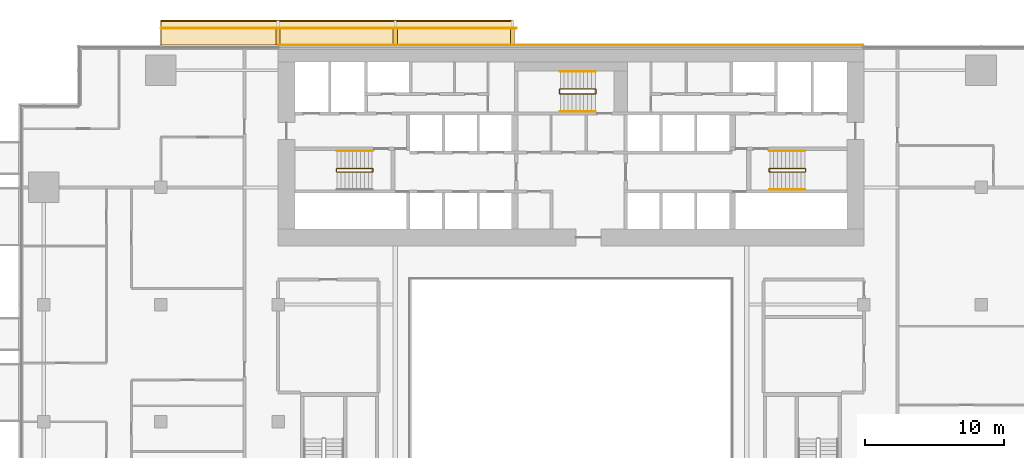
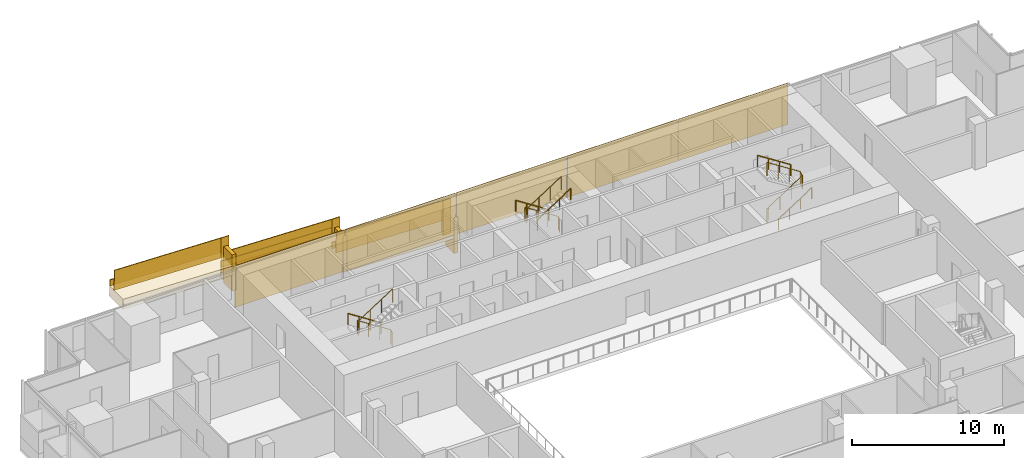
# One storey, part 26 of 27: 14 coverings, 14 railings.
"""IFC4 building model written with IfcOpenShell, lengths in metres."""

from ifc_helpers import new_model, si_unit, direction, frame, origin, origin_2d, place, context, subcontext, project, spatial, polyline, rectangle, circle, outline, extrude, material, layer, layer_set, type_object, element, save


model = new_model("IFC4")

# Units and contexts
model_context = context("Model", 3, precision=1e-05, world=origin(), true_north=direction((0.0, 1.0)))
body_context = subcontext(model_context, "Body", "Model", "MODEL_VIEW")
ifc_project = project(units=[si_unit("LENGTHUNIT", "METRE"), si_unit("AREAUNIT", "SQUARE_METRE"), si_unit("VOLUMEUNIT", "CUBIC_METRE"), si_unit("PLANEANGLEUNIT", "RADIAN"), si_unit("MASSUNIT", "GRAM", prefix="KILO")], contexts=[model_context])

# Site, building, storey
site_placement = place(None, origin())
site = spatial("IfcSite", under=ifc_project, at=site_placement, CompositionType="ELEMENT")
building_placement = place(site_placement, origin())
building = spatial("IfcBuilding", under=site, at=building_placement, Name="Saffron Gate Tower", CompositionType="ELEMENT")
storey_placement = place(building_placement, frame((0.0, 0.0, 44.39990234375)))
storey = spatial("IfcBuildingStorey", under=building, at=storey_placement, Name="L09", CompositionType="ELEMENT", Elevation=44.39990234375)

# Coverings
ifc_material_1 = material(Name="Ceramic-printed bronze insulated panel")
ifc_layer_1 = layer(ifc_material_1, 0.0400390625)
ifc_layer_set_1 = layer_set([ifc_layer_1], Name="CLD1 ceramic-printed cladding panel 40")
covering_type_1 = type_object("IfcCoveringType", Name="CLD1 ceramic-printed cladding panel 40", PredefinedType="CLADDING", material=ifc_layer_set_1)
covering_1_placement = place(storey_placement, origin())
element("IfcCovering", 1, at=covering_1_placement, inside=storey, type_object=covering_type_1, Name="CLADDING ceramic-printed panel", PredefinedType="CLADDING", context=body_context, shape_type="SweptSolid", body=[
    extrude(outline(polyline([(108.56494140625, 75.639892578125), (100.235107421875, 75.639892578125), (100.235107421875, 75.60009765625), (108.56494140625, 75.60009765625), (108.56494140625, 75.639892578125)])), origin(), (0.0, 0.0, 1.0), 3.320068359375),
])
covering_2_placement = place(storey_placement, origin())
element("IfcCovering", 2, at=covering_2_placement, inside=storey, type_object=covering_type_1, Name="CLADDING ceramic-printed panel", PredefinedType="CLADDING", context=body_context, shape_type="SweptSolid", body=[
    extrude(outline(polyline([(100.1650390625, 75.639892578125), (91.8349609375, 75.639892578125), (91.8349609375, 75.60009765625), (100.1650390625, 75.60009765625), (100.1650390625, 75.639892578125)])), origin(), (0.0, 0.0, 1.0), 3.320068359375),
])
covering_3_placement = place(storey_placement, origin())
element("IfcCovering", 3, at=covering_3_placement, inside=storey, type_object=covering_type_1, Name="CLADDING ceramic-printed panel", PredefinedType="CLADDING", context=body_context, shape_type="SweptSolid", body=[
    extrude(outline(polyline([(91.764892578125, 75.639892578125), (83.43505859375, 75.639892578125), (83.43505859375, 75.60009765625), (91.764892578125, 75.60009765625), (91.764892578125, 75.639892578125)])), origin(), (0.0, 0.0, 1.0), 3.320068359375),
])
covering_4_placement = place(storey_placement, origin())
element("IfcCovering", 4, at=covering_4_placement, inside=storey, type_object=covering_type_1, Name="CLADDING ceramic-printed panel", PredefinedType="CLADDING", context=body_context, shape_type="SweptSolid", body=[
    extrude(outline(polyline([(83.364990234375, 75.639892578125), (75.034912109375, 75.639892578125), (75.034912109375, 75.60009765625), (83.364990234375, 75.60009765625), (83.364990234375, 75.639892578125)])), origin(), (0.0, 0.0, 1.0), 3.320068359375),
])
covering_5_placement = place(storey_placement, origin())
element("IfcCovering", 5, at=covering_5_placement, inside=storey, type_object=covering_type_1, Name="CLADDING ceramic-printed panel", PredefinedType="CLADDING", context=body_context, shape_type="SweptSolid", body=[
    extrude(outline(polyline([(74.965087890625, 75.639892578125), (66.635009765625, 75.639892578125), (66.635009765625, 75.60009765625), (74.965087890625, 75.60009765625), (74.965087890625, 75.639892578125)])), origin(), (0.0, 0.0, 1.0), 3.320068359375),
])

# Railings
ifc_material_2 = material(Name="Stainless steel and laminated glass", Category="steel")
railing_type_1 = type_object("IfcRailingType", Name="CR1 Stair guard 1100", PredefinedType="GUARDRAIL", material=ifc_material_2)
railing_1_placement = place(storey_placement, frame((73.39990234375, 66.550048828125, 0.0)))
element("IfcRailing", 6, at=railing_1_placement, inside=storey, type_object=railing_type_1, Name="L09 ST-A stair guard 1", PredefinedType="GUARDRAIL", context=body_context, shape_type="SweptSolid", body=[
    extrude(circle(Radius=0.02392578125, at=origin_2d()), frame((0.0, 0.0, 1.076171875), z_axis=(0.0, 1.0, 0.0), x_axis=(-1.0, 0.0, 0.0)), (0.0, 0.0, 1.0), 0.14990234375),
    extrude(circle(Radius=0.02392578125, at=origin_2d()), frame((0.0, 0.14990234375, 1.076171875), z_axis=(-0.257366384619, 0.258627984543, 0.931060744355), x_axis=(-0.708833529934, -0.705375805398, 0.0)), (0.0, 0.0, 1.0), 0.193603515625),
    extrude(circle(Radius=0.02392578125, at=origin_2d()), frame((-0.0498046875, 0.199951171875, 1.25634765625), z_axis=(-0.841199657755, 0.0, 0.540724639528), x_axis=(0.0, -1.0, 0.0)), (0.0, 0.0, 1.0), 2.995849609375),
    extrude(circle(Radius=0.02392578125, at=origin_2d()), frame((-2.56982421875, 0.199951171875, 2.8759765625), z_axis=(-0.707106781187, -0.707106781187, 0.0), x_axis=(0.707106781187, -0.707106781187, 0.0)), (0.0, 0.0, 1.0), 0.07080078125),
    extrude(circle(Radius=0.02392578125, at=origin_2d()), frame((-2.619873046875, 0.14990234375, 2.8759765625), z_axis=(0.0, -1.0, 0.0), x_axis=(1.0, 0.0, 0.0)), (0.0, 0.0, 1.0), 0.14990234375),
    extrude(circle(Radius=0.02392578125, at=origin_2d()), frame((-2.619873046875, 0.0, 2.8759765625), z_axis=(0.258847668887, -0.258847668887, 0.930588936439), x_axis=(0.707106781187, 0.707106781187, 0.0)), (0.0, 0.0, 1.0), 0.193359375),
    extrude(circle(Radius=0.02392578125, at=origin_2d()), frame((-2.56982421875, -0.050048828125, 3.05615234375), z_axis=(0.841162588446, 0.0, 0.540782303519), x_axis=(0.0, 1.0, 0.0)), (0.0, 0.0, 1.0), 2.995849609375),
    extrude(circle(Radius=0.02099609375, at=origin_2d()), origin(), (0.0, 0.0, 1.0), 1.052001953125),
    extrude(circle(Radius=0.02099609375, at=origin_2d()), frame((0.0, 0.14990234375, 0.0)), (0.0, 0.0, 1.0), 1.052001953125),
    extrude(circle(Radius=0.02099609375, at=origin_2d()), frame((-0.0498046875, 0.199951171875, 0.18017578125)), (0.0, 0.0, 1.0), 1.052001953125),
    extrude(circle(Radius=0.02099609375, at=origin_2d()), frame((-0.889892578125, 0.199951171875, 0.72021484375)), (0.0, 0.0, 1.0), 1.052001953125),
    extrude(circle(Radius=0.02099609375, at=origin_2d()), frame((-1.729736328125, 0.199951171875, 1.260009765625)), (0.0, 0.0, 1.0), 1.052001953125),
    extrude(circle(Radius=0.02099609375, at=origin_2d()), frame((-2.56982421875, 0.199951171875, 1.800048828125)), (0.0, 0.0, 1.0), 1.052001953125),
    extrude(circle(Radius=0.02099609375, at=origin_2d()), frame((-2.619873046875, 0.14990234375, 1.800048828125)), (0.0, 0.0, 1.0), 1.052001953125),
    extrude(circle(Radius=0.02099609375, at=origin_2d()), frame((-2.619873046875, 0.0, 1.800048828125)), (0.0, 0.0, 1.0), 1.052001953125),
    extrude(circle(Radius=0.02099609375, at=origin_2d()), frame((-2.56982421875, -0.050048828125, 1.97998046875)), (0.0, 0.0, 1.0), 1.052001953125),
    extrude(circle(Radius=0.02099609375, at=origin_2d()), frame((-1.729736328125, -0.050048828125, 2.52001953125)), (0.0, 0.0, 1.0), 1.052001953125),
    extrude(circle(Radius=0.02099609375, at=origin_2d()), frame((-0.889892578125, -0.050048828125, 3.06005859375)), (0.0, 0.0, 1.0), 1.052001953125),
    extrude(circle(Radius=0.02099609375, at=origin_2d()), frame((-0.0498046875, -0.050048828125, 3.60009765625)), (0.0, 0.0, 1.0), 1.052001953125),
])
railing_2_placement = place(storey_placement, frame((101.800048828125, 66.699951171875, 0.0)))
element("IfcRailing", 7, at=railing_2_placement, inside=storey, type_object=railing_type_1, Name="L09 ST-B stair guard 1", PredefinedType="GUARDRAIL", context=body_context, shape_type="SweptSolid", body=[
    extrude(circle(Radius=0.02392578125, at=origin_2d()), frame((0.0, 0.0, 1.076171875), z_axis=(0.0, -1.0, 0.0), x_axis=(1.0, 0.0, 0.0)), (0.0, 0.0, 1.0), 0.14990234375),
    extrude(circle(Radius=0.02392578125, at=origin_2d()), frame((0.0, -0.14990234375, 1.076171875), z_axis=(0.258543844998, -0.258543844998, 0.930757841991), x_axis=(0.707106781187, 0.707106781187, 0.0)), (0.0, 0.0, 1.0), 0.193603515625),
    extrude(circle(Radius=0.02392578125, at=origin_2d()), frame((0.050048828125, -0.199951171875, 1.25634765625), z_axis=(0.841199657755, 0.0, 0.540724639528), x_axis=(0.0, 1.0, 0.0)), (0.0, 0.0, 1.0), 2.995849609375),
    extrude(circle(Radius=0.02392578125, at=origin_2d()), frame((2.570068359375, -0.199951171875, 2.8759765625), z_axis=(0.705375805398, 0.708833529934, 0.0), x_axis=(-0.708833529934, 0.705375805398, 0.0)), (0.0, 0.0, 1.0), 0.070556640625),
    extrude(circle(Radius=0.02392578125, at=origin_2d()), frame((2.619873046875, -0.14990234375, 2.8759765625), z_axis=(0.0, 1.0, 0.0), x_axis=(-1.0, 0.0, 0.0)), (0.0, 0.0, 1.0), 0.14990234375),
    extrude(circle(Radius=0.02392578125, at=origin_2d()), frame((2.619873046875, 0.0, 2.8759765625), z_axis=(-0.257669022063, 0.258932105505, 0.930892496375), x_axis=(-0.708833529934, -0.705375805398, 0.0)), (0.0, 0.0, 1.0), 0.193359375),
    extrude(circle(Radius=0.02392578125, at=origin_2d()), frame((2.570068359375, 0.050048828125, 3.05615234375), z_axis=(-0.841162588446, 0.0, 0.540782303519), x_axis=(0.0, -1.0, 0.0)), (0.0, 0.0, 1.0), 2.995849609375),
    extrude(circle(Radius=0.02099609375, at=origin_2d()), origin(), (0.0, 0.0, 1.0), 1.052001953125),
    extrude(circle(Radius=0.02099609375, at=origin_2d()), frame((0.0, -0.14990234375, 0.0)), (0.0, 0.0, 1.0), 1.052001953125),
    extrude(circle(Radius=0.02099609375, at=origin_2d()), frame((0.050048828125, -0.199951171875, 0.18017578125)), (0.0, 0.0, 1.0), 1.052001953125),
    extrude(circle(Radius=0.02099609375, at=origin_2d()), frame((0.89013671875, -0.199951171875, 0.72021484375)), (0.0, 0.0, 1.0), 1.052001953125),
    extrude(circle(Radius=0.02099609375, at=origin_2d()), frame((1.72998046875, -0.199951171875, 1.260009765625)), (0.0, 0.0, 1.0), 1.052001953125),
    extrude(circle(Radius=0.02099609375, at=origin_2d()), frame((2.570068359375, -0.199951171875, 1.800048828125)), (0.0, 0.0, 1.0), 1.052001953125),
    extrude(circle(Radius=0.02099609375, at=origin_2d()), frame((2.619873046875, -0.14990234375, 1.800048828125)), (0.0, 0.0, 1.0), 1.052001953125),
    extrude(circle(Radius=0.02099609375, at=origin_2d()), frame((2.619873046875, 0.0, 1.800048828125)), (0.0, 0.0, 1.0), 1.052001953125),
    extrude(circle(Radius=0.02099609375, at=origin_2d()), frame((2.570068359375, 0.050048828125, 1.97998046875)), (0.0, 0.0, 1.0), 1.052001953125),
    extrude(circle(Radius=0.02099609375, at=origin_2d()), frame((1.72998046875, 0.050048828125, 2.52001953125)), (0.0, 0.0, 1.0), 1.052001953125),
    extrude(circle(Radius=0.02099609375, at=origin_2d()), frame((0.89013671875, 0.050048828125, 3.06005859375)), (0.0, 0.0, 1.0), 1.052001953125),
    extrude(circle(Radius=0.02099609375, at=origin_2d()), frame((0.050048828125, 0.050048828125, 3.60009765625)), (0.0, 0.0, 1.0), 1.052001953125),
])
railing_3_placement = place(storey_placement, frame((89.39990234375, 72.14990234375, 0.0)))
element("IfcRailing", 8, at=railing_3_placement, inside=storey, type_object=railing_type_1, Name="L09 ST-C stair guard 1", PredefinedType="GUARDRAIL", context=body_context, shape_type="SweptSolid", body=[
    extrude(circle(Radius=0.02392578125, at=origin_2d()), frame((0.0, 0.0, 1.076171875), z_axis=(0.0, 1.0, 0.0), x_axis=(-1.0, 0.0, 0.0)), (0.0, 0.0, 1.0), 0.25),
    extrude(circle(Radius=0.02392578125, at=origin_2d()), frame((0.0, 0.25, 1.076171875), z_axis=(-0.257366384619, 0.258627984543, 0.931060744355), x_axis=(-0.708833529934, -0.705375805398, 0.0)), (0.0, 0.0, 1.0), 0.193603515625),
    extrude(circle(Radius=0.02392578125, at=origin_2d()), frame((-0.0498046875, 0.300048828125, 1.25634765625), z_axis=(-0.841199657755, 0.0, 0.540724639528), x_axis=(0.0, -1.0, 0.0)), (0.0, 0.0, 1.0), 2.995849609375),
    extrude(circle(Radius=0.02392578125, at=origin_2d()), frame((-2.56982421875, 0.300048828125, 2.8759765625), z_axis=(-0.707106781187, -0.707106781187, 0.0), x_axis=(0.707106781187, -0.707106781187, 0.0)), (0.0, 0.0, 1.0), 0.07080078125),
    extrude(circle(Radius=0.02392578125, at=origin_2d()), frame((-2.619873046875, 0.25, 2.8759765625), z_axis=(0.0, -1.0, 0.0), x_axis=(1.0, 0.0, 0.0)), (0.0, 0.0, 1.0), 0.25),
    extrude(circle(Radius=0.02392578125, at=origin_2d()), frame((-2.619873046875, 0.0, 2.8759765625), z_axis=(0.258932105505, -0.257669022063, 0.930892496375), x_axis=(0.705375805398, 0.708833529934, 0.0)), (0.0, 0.0, 1.0), 0.193359375),
    extrude(circle(Radius=0.02392578125, at=origin_2d()), frame((-2.56982421875, -0.0498046875, 3.05615234375), z_axis=(0.841162588446, 0.0, 0.540782303519), x_axis=(0.0, 1.0, 0.0)), (0.0, 0.0, 1.0), 2.995849609375),
    extrude(circle(Radius=0.02099609375, at=origin_2d()), origin(), (0.0, 0.0, 1.0), 1.052001953125),
    extrude(circle(Radius=0.02099609375, at=origin_2d()), frame((0.0, 0.25, 0.0)), (0.0, 0.0, 1.0), 1.052001953125),
    extrude(circle(Radius=0.02099609375, at=origin_2d()), frame((-0.0498046875, 0.300048828125, 0.18017578125)), (0.0, 0.0, 1.0), 1.052001953125),
    extrude(circle(Radius=0.02099609375, at=origin_2d()), frame((-0.889892578125, 0.300048828125, 0.72021484375)), (0.0, 0.0, 1.0), 1.052001953125),
    extrude(circle(Radius=0.02099609375, at=origin_2d()), frame((-1.729736328125, 0.300048828125, 1.260009765625)), (0.0, 0.0, 1.0), 1.052001953125),
    extrude(circle(Radius=0.02099609375, at=origin_2d()), frame((-2.56982421875, 0.300048828125, 1.800048828125)), (0.0, 0.0, 1.0), 1.052001953125),
    extrude(circle(Radius=0.02099609375, at=origin_2d()), frame((-2.619873046875, 0.25, 1.800048828125)), (0.0, 0.0, 1.0), 1.052001953125),
    extrude(circle(Radius=0.02099609375, at=origin_2d()), frame((-2.619873046875, 0.0, 1.800048828125)), (0.0, 0.0, 1.0), 1.052001953125),
    extrude(circle(Radius=0.02099609375, at=origin_2d()), frame((-2.56982421875, -0.0498046875, 1.97998046875)), (0.0, 0.0, 1.0), 1.052001953125),
    extrude(circle(Radius=0.02099609375, at=origin_2d()), frame((-1.729736328125, -0.0498046875, 2.52001953125)), (0.0, 0.0, 1.0), 1.052001953125),
    extrude(circle(Radius=0.02099609375, at=origin_2d()), frame((-0.889892578125, -0.0498046875, 3.06005859375)), (0.0, 0.0, 1.0), 1.052001953125),
    extrude(circle(Radius=0.02099609375, at=origin_2d()), frame((-0.0498046875, -0.0498046875, 3.60009765625)), (0.0, 0.0, 1.0), 1.052001953125),
])
ifc_material_3 = material(Name="Stainless steel", Category="steel")
railing_type_2 = type_object("IfcRailingType", Name="CR2 Stair handrail 900", PredefinedType="HANDRAIL", material=ifc_material_3)
railing_4_placement = place(storey_placement, frame((73.35009765625, 68.0, 0.18017578125)))
element("IfcRailing", 9, at=railing_4_placement, inside=storey, type_object=railing_type_2, Name="L09 ST-A stair handrail 1", PredefinedType="HANDRAIL", context=body_context, shape_type="SweptSolid", body=[
    extrude(circle(Radius=0.02392578125, at=origin_2d()), frame((0.0, 0.0, 0.8759765625), z_axis=(-0.841199657755, 0.0, 0.540724639528), x_axis=(0.0, -1.0, 0.0)), (0.0, 0.0, 1.0), 2.995849609375),
    extrude(circle(Radius=0.02099609375, at=origin_2d()), origin(), (0.0, 0.0, 1.0), 0.851806640625),
    extrude(circle(Radius=0.02099609375, at=origin_2d()), frame((-0.840087890625, 0.0, 0.5400390625)), (0.0, 0.0, 1.0), 0.851806640625),
    extrude(circle(Radius=0.02099609375, at=origin_2d()), frame((-1.679931640625, 0.0, 1.079833984375)), (0.0, 0.0, 1.0), 0.851806640625),
    extrude(circle(Radius=0.02099609375, at=origin_2d()), frame((-2.52001953125, 0.0, 1.619873046875)), (0.0, 0.0, 1.0), 0.851806640625),
])
railing_5_placement = place(storey_placement, frame((101.85009765625, 65.25, 0.18017578125)))
element("IfcRailing", 10, at=railing_5_placement, inside=storey, type_object=railing_type_2, Name="L09 ST-B stair handrail 1", PredefinedType="HANDRAIL", context=body_context, shape_type="SweptSolid", body=[
    extrude(circle(Radius=0.02392578125, at=origin_2d()), frame((0.0, 0.0, 0.8759765625), z_axis=(0.841199657755, 0.0, 0.540724639528), x_axis=(0.0, 1.0, 0.0)), (0.0, 0.0, 1.0), 2.995849609375),
    extrude(circle(Radius=0.02099609375, at=origin_2d()), origin(), (0.0, 0.0, 1.0), 0.851806640625),
    extrude(circle(Radius=0.02099609375, at=origin_2d()), frame((0.840087890625, 0.0, 0.5400390625)), (0.0, 0.0, 1.0), 0.851806640625),
    extrude(circle(Radius=0.02099609375, at=origin_2d()), frame((1.679931640625, 0.0, 1.079833984375)), (0.0, 0.0, 1.0), 0.851806640625),
    extrude(circle(Radius=0.02099609375, at=origin_2d()), frame((2.52001953125, 0.0, 1.619873046875)), (0.0, 0.0, 1.0), 0.851806640625),
])
railing_6_placement = place(storey_placement, frame((104.3701171875, 68.0, 1.97998046875)))
element("IfcRailing", 11, at=railing_6_placement, inside=storey, type_object=railing_type_2, Name="L09 ST-B stair handrail 2", PredefinedType="HANDRAIL", context=body_context, shape_type="SweptSolid", body=[
    extrude(circle(Radius=0.02392578125, at=origin_2d()), frame((0.0, 0.0, 0.8759765625), z_axis=(-0.841162588446, 0.0, 0.540782303519), x_axis=(0.0, -1.0, 0.0)), (0.0, 0.0, 1.0), 2.995849609375),
    extrude(circle(Radius=0.02099609375, at=origin_2d()), origin(), (0.0, 0.0, 1.0), 0.851806640625),
    extrude(circle(Radius=0.02099609375, at=origin_2d()), frame((-0.840087890625, 0.0, 0.5400390625)), (0.0, 0.0, 1.0), 0.851806640625),
    extrude(circle(Radius=0.02099609375, at=origin_2d()), frame((-1.679931640625, 0.0, 1.080078125)), (0.0, 0.0, 1.0), 0.851806640625),
    extrude(circle(Radius=0.02099609375, at=origin_2d()), frame((-2.52001953125, 0.0, 1.6201171875)), (0.0, 0.0, 1.0), 0.851806640625),
])
railing_7_placement = place(storey_placement, frame((89.35009765625, 73.699951171875, 0.18017578125)))
element("IfcRailing", 12, at=railing_7_placement, inside=storey, type_object=railing_type_2, Name="L09 ST-C stair handrail 1", PredefinedType="HANDRAIL", context=body_context, shape_type="SweptSolid", body=[
    extrude(circle(Radius=0.02392578125, at=origin_2d()), frame((0.0, 0.0, 0.8759765625), z_axis=(-0.841199657755, 0.0, 0.540724639528), x_axis=(0.0, -1.0, 0.0)), (0.0, 0.0, 1.0), 2.995849609375),
    extrude(circle(Radius=0.02099609375, at=origin_2d()), origin(), (0.0, 0.0, 1.0), 0.851806640625),
    extrude(circle(Radius=0.02099609375, at=origin_2d()), frame((-0.840087890625, 0.0, 0.5400390625)), (0.0, 0.0, 1.0), 0.851806640625),
    extrude(circle(Radius=0.02099609375, at=origin_2d()), frame((-1.679931640625, 0.0, 1.079833984375)), (0.0, 0.0, 1.0), 0.851806640625),
    extrude(circle(Radius=0.02099609375, at=origin_2d()), frame((-2.52001953125, 0.0, 1.619873046875)), (0.0, 0.0, 1.0), 0.851806640625),
])
railing_8_placement = place(storey_placement, frame((86.830078125, 70.85009765625, 1.97998046875)))
element("IfcRailing", 13, at=railing_8_placement, inside=storey, type_object=railing_type_2, Name="L09 ST-C stair handrail 2", PredefinedType="HANDRAIL", context=body_context, shape_type="SweptSolid", body=[
    extrude(circle(Radius=0.02392578125, at=origin_2d()), frame((0.0, 0.0, 0.8759765625), z_axis=(0.841162588446, 0.0, 0.540782303519), x_axis=(0.0, 1.0, 0.0)), (0.0, 0.0, 1.0), 2.995849609375),
    extrude(circle(Radius=0.02099609375, at=origin_2d()), origin(), (0.0, 0.0, 1.0), 0.851806640625),
    extrude(circle(Radius=0.02099609375, at=origin_2d()), frame((0.840087890625, 0.0, 0.5400390625)), (0.0, 0.0, 1.0), 0.851806640625),
    extrude(circle(Radius=0.02099609375, at=origin_2d()), frame((1.679931640625, 0.0, 1.080078125)), (0.0, 0.0, 1.0), 0.851806640625),
    extrude(circle(Radius=0.02099609375, at=origin_2d()), frame((2.52001953125, 0.0, 1.6201171875)), (0.0, 0.0, 1.0), 0.851806640625),
])

# Coverings
ifc_material_4 = material(Name="Timber, thermally modified ash", Category="wood")
ifc_layer_2 = layer(ifc_material_4, 0.800048828125)
ifc_layer_set_2 = layer_set([ifc_layer_2], Name="LD1 ledge timber")
covering_type_2 = type_object("IfcCoveringType", Name="LD1 ledge timber", PredefinedType="CLADDING", material=ifc_layer_set_2)
for number, where, z_axis, x_axis, name in (
    (14, (83.39990234375, 75.60009765625, 0.499755859375), (0.028791175352, 0.0, 0.999585448184), (-0.999585448184, 0.0, 0.028791175352), "LEDGE"),
    (15, (75.0, 75.60009765625, 1.942138671875), (0.028791175352, 0.0, 0.999585448184), (-0.999585448184, 0.0, 0.028791175352), "LEDGE"),
):
    element("IfcCovering", number, at=place(storey_placement, frame(where, z_axis=z_axis, x_axis=x_axis)), inside=storey, type_object=covering_type_2, Name=name, PredefinedType="CLADDING", context=body_context, shape_type="SweptSolid", body=[
        extrude(outline(polyline([(0.0, 0.0), (8.403385982666892, 0.0), (8.403385982666892, -1.7998046875), (0.0, -1.7998046875), (0.0, 0.0)])), origin(), (0.0, 0.0, -1.0), 0.800048828125),
    ])
covering_6_placement = place(storey_placement, frame((66.60009765625, 75.60009765625, 3.38427734375), z_axis=(0.028790339263, 0.0, 0.999585472266), x_axis=(-0.999585472266, 0.0, 0.028790339263)))
element("IfcCovering", 16, at=covering_6_placement, inside=storey, type_object=covering_type_2, Name="LEDGE", PredefinedType="CLADDING", context=body_context, shape_type="SweptSolid", body=[
    extrude(outline(polyline([(0.0, 0.0), (8.403630022085892, 0.0), (8.403630022085892, -1.7998046875), (0.0, -1.7998046875), (0.0, 0.0)])), origin(), (0.0, 0.0, -1.0), 0.800048828125),
])
ifc_layer_3 = layer(ifc_material_4, 0.080078125)
ifc_layer_set_3 = layer_set([ifc_layer_3], Name="LD2 ledge planter trough")
covering_type_3 = type_object("IfcCoveringType", Name="LD2 ledge planter trough", PredefinedType="CLADDING", material=ifc_layer_set_3)
for number, where, z_axis, x_axis, name in (
    (17, (83.39990234375, 77.39990234375, 0.499755859375), (0.0, 1.0, 0.0), (-0.999585448184, 0.0, 0.028791175352), "LEDGE planter trough"),
    (18, (75.0, 77.39990234375, 1.942138671875), (0.0, 1.0, 0.0), (-0.999585448184, 0.0, 0.028791175352), "LEDGE planter trough"),
):
    element("IfcCovering", number, at=place(storey_placement, frame(where, z_axis=z_axis, x_axis=x_axis)), inside=storey, type_object=covering_type_3, Name=name, PredefinedType="CLADDING", context=body_context, shape_type="SweptSolid", body=[
        extrude(outline(polyline([(0.0, 0.0), (8.403385982666892, 0.0), (8.417781570342743, 0.49979272409216496), (0.014395587675851172, 0.4997927240921649), (0.0, 0.0)])), origin(), (0.0, 0.0, -1.0), 0.080078125),
    ])
covering_7_placement = place(storey_placement, frame((66.60009765625, 77.39990234375, 3.38427734375), z_axis=(0.0, 1.0, 0.0), x_axis=(-0.999585472266, 0.0, 0.028790339263)))
element("IfcCovering", 19, at=covering_7_placement, inside=storey, type_object=covering_type_3, Name="LEDGE planter trough", PredefinedType="CLADDING", context=body_context, shape_type="SweptSolid", body=[
    extrude(outline(polyline([(0.0, 0.0), (8.403630022085892, 0.0), (8.418025191717298, 0.4997927361329725), (0.014395169631405694, 0.4997927361329725), (0.0, 0.0)])), origin(), (0.0, 0.0, -1.0), 0.080078125),
])
ifc_layer_4 = layer(ifc_material_4, 0.300048828125)
ifc_layer_set_4 = layer_set([ifc_layer_4], Name="LD3 ledge riser fin")
covering_type_4 = type_object("IfcCoveringType", Name="LD3 ledge riser fin", PredefinedType="CLADDING", material=ifc_layer_set_4)
for number, where, z_axis, x_axis, name in (
    (20, (83.39990234375, 76.159912109375, -1.500732421875), (0.0, 0.0, 1.0), (-1.0, 0.0, 0.0), "LEDGE riser fin"),
    (21, (75.0, 76.159912109375, -0.058349609375), (0.0, 0.0, 1.0), (-1.0, 0.0, 0.0), "LEDGE riser fin"),
    (22, (66.60009765625, 76.159912109375, 1.384033203125), (0.0, 0.0, 1.0), (-1.0, 0.0, 0.0), "LEDGE riser fin"),
):
    element("IfcCovering", number, at=place(storey_placement, frame(where, z_axis=z_axis, x_axis=x_axis)), inside=storey, type_object=covering_type_4, Name=name, PredefinedType="CLADDING", context=body_context, shape_type="SweptSolid", body=[
        extrude(rectangle(XDim=0.300048828125, YDim=1.1201171875, at=origin_2d()), origin(), (0.0, 0.0, 1.0), 2.900390625),
    ])

# Railings
railing_type_3 = type_object("IfcRailingType", Name="LG1 ledge balustrade", PredefinedType="BALUSTRADE", material=ifc_material_4)
railing_9_placement = place(storey_placement, frame((83.39990234375, 76.800048828125, 0.499755859375)))
element("IfcRailing", 23, at=railing_9_placement, inside=storey, type_object=railing_type_3, Name="LEDGE BALUSTRADE", PredefinedType="BALUSTRADE", context=body_context, shape_type="SweptSolid", body=[
    extrude(rectangle(XDim=0.06005859375, YDim=1.60009765625, at=origin_2d()), frame((0.0, 0.0, 0.800048828125), z_axis=(-0.999585448184, 0.0, 0.028791175352), x_axis=(0.0, -1.0, 0.0)), (0.0, 0.0, 1.0), 8.4033203125),
])
railing_10_placement = place(storey_placement, frame((83.699951171875, 76.800048828125, -0.70068359375)))
element("IfcRailing", 24, at=railing_10_placement, inside=storey, type_object=railing_type_3, Name="LEDGE BALUSTRADE", PredefinedType="BALUSTRADE", context=body_context, shape_type="SweptSolid", body=[
    extrude(rectangle(XDim=0.06005859375, YDim=2.80029296875, at=origin_2d()), frame((0.0, 0.0, 1.400146484375), z_axis=(-1.0, 0.0, 0.0), x_axis=(0.0, -1.0, 0.0)), (0.0, 0.0, 1.0), 0.599853515625),
])
railing_11_placement = place(storey_placement, frame((75.0, 76.800048828125, 1.942138671875)))
element("IfcRailing", 25, at=railing_11_placement, inside=storey, type_object=railing_type_3, Name="LEDGE BALUSTRADE", PredefinedType="BALUSTRADE", context=body_context, shape_type="SweptSolid", body=[
    extrude(rectangle(XDim=0.06005859375, YDim=1.60009765625, at=origin_2d()), frame((0.0, 0.0, 0.800048828125), z_axis=(-0.999585448184, 0.0, 0.028791175352), x_axis=(0.0, -1.0, 0.0)), (0.0, 0.0, 1.0), 8.4033203125),
])
railing_12_placement = place(storey_placement, frame((75.300048828125, 76.800048828125, 0.74169921875)))
element("IfcRailing", 26, at=railing_12_placement, inside=storey, type_object=railing_type_3, Name="LEDGE BALUSTRADE", PredefinedType="BALUSTRADE", context=body_context, shape_type="SweptSolid", body=[
    extrude(rectangle(XDim=0.06005859375, YDim=2.80029296875, at=origin_2d()), frame((0.0, 0.0, 1.400146484375), z_axis=(-1.0, 0.0, 0.0), x_axis=(0.0, -1.0, 0.0)), (0.0, 0.0, 1.0), 0.60009765625),
])
railing_13_placement = place(storey_placement, frame((66.60009765625, 76.800048828125, 3.38427734375)))
element("IfcRailing", 27, at=railing_13_placement, inside=storey, type_object=railing_type_3, Name="LEDGE BALUSTRADE", PredefinedType="BALUSTRADE", context=body_context, shape_type="SweptSolid", body=[
    extrude(rectangle(XDim=0.06005859375, YDim=1.60009765625, at=origin_2d()), frame((0.0, 0.0, 0.800048828125), z_axis=(-0.999585472266, 0.0, 0.028790339263), x_axis=(0.0, -1.0, 0.0)), (0.0, 0.0, 1.0), 8.403564453125),
])
railing_14_placement = place(storey_placement, frame((66.89990234375, 76.800048828125, 2.18408203125)))
element("IfcRailing", 28, at=railing_14_placement, inside=storey, type_object=railing_type_3, Name="LEDGE BALUSTRADE", PredefinedType="BALUSTRADE", context=body_context, shape_type="SweptSolid", body=[
    extrude(rectangle(XDim=0.06005859375, YDim=2.80029296875, at=origin_2d()), frame((0.0, 0.0, 1.400146484375), z_axis=(-1.0, 0.0, 0.0), x_axis=(0.0, -1.0, 0.0)), (0.0, 0.0, 1.0), 0.599853515625),
])

save(model, "model.ifc")
